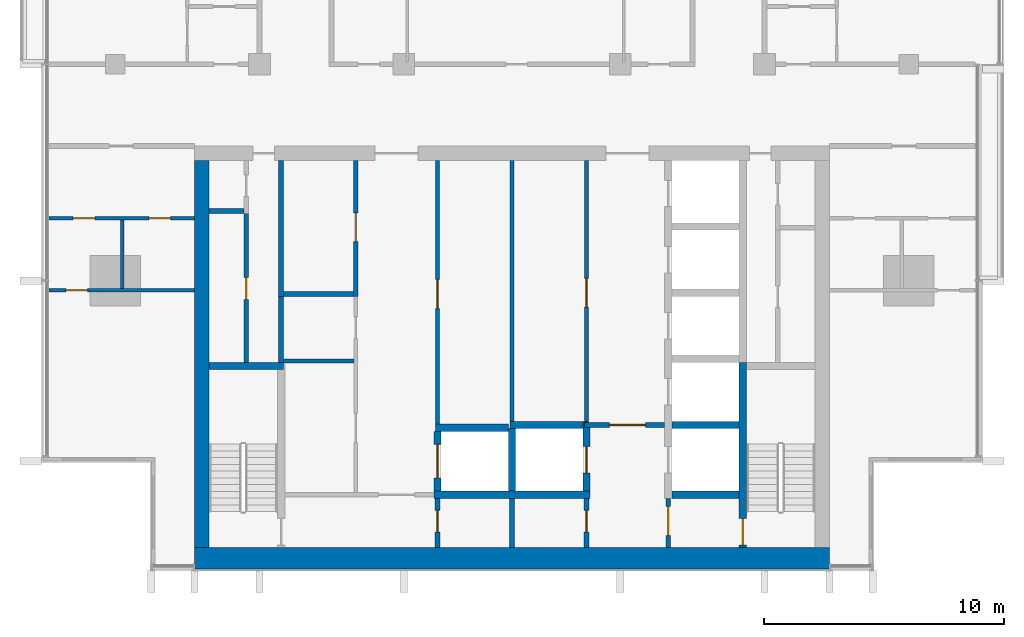
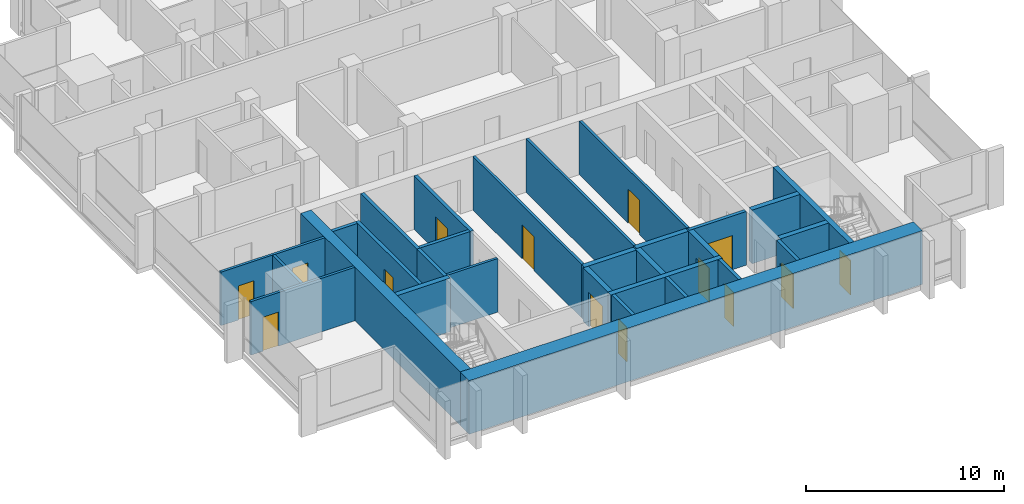
# One storey, part 7 of 16: 30 walls, 14 doors, 14 openings.
"""IFC4 building model written with IfcOpenShell, lengths in metres."""

from ifc_helpers import new_model, si_unit, direction, frame, frame_2d, origin, place, context, subcontext, project, spatial, rectangle, extrude, material, layer, layer_set, type_object, element, fill, save


model = new_model("IFC4")

# Units and contexts
model_context = context("Model", 3, precision=1e-05, world=origin(), true_north=direction((0.0, 1.0)))
body_context = subcontext(model_context, "Body", "Model", "MODEL_VIEW")
ifc_project = project(units=[si_unit("LENGTHUNIT", "METRE"), si_unit("AREAUNIT", "SQUARE_METRE"), si_unit("VOLUMEUNIT", "CUBIC_METRE"), si_unit("PLANEANGLEUNIT", "RADIAN"), si_unit("MASSUNIT", "GRAM", prefix="KILO")], contexts=[model_context])

# Site, building, storey
site_placement = place(None, origin())
site = spatial("IfcSite", under=ifc_project, at=site_placement, CompositionType="ELEMENT")
building_placement = place(site_placement, origin())
building = spatial("IfcBuilding", under=site, at=building_placement, Name="Finial Court Residences", CompositionType="ELEMENT")
storey_placement = place(building_placement, frame((0.0, 0.0, 219.5)))
storey = spatial("IfcBuildingStorey", under=building, at=storey_placement, Name="L55", CompositionType="ELEMENT", Elevation=219.5)

# Walls
ifc_material_1 = material(Name="Concrete C60/75", Category="concrete")
ifc_layer_1 = layer(ifc_material_1, 0.60009765625)
ifc_layer_set_1 = layer_set([ifc_layer_1], Name="Core outer wall 600 Concrete C60/75")
wall_type_1 = type_object("IfcWallType", Name="Core outer wall 600 Concrete C60/75", PredefinedType="SHEAR", material=ifc_layer_set_1)
wall_1_placement = place(storey_placement, frame((-12.89990234375, -24.60009765625, 0.0), z_axis=(0.0, 0.0, 1.0), x_axis=(0.0, 1.0, 0.0)))
element("IfcWall", 1, at=wall_1_placement, inside=storey, type_object=wall_type_1, Name="Core outer wall L55-03", PredefinedType="SHEAR", context=body_context, shape_type="SweptSolid", body=[
    extrude(rectangle(XDim=16.10009765625, YDim=0.60009765625, at=frame_2d((8.050048828125, 0.0))), origin(), (0.0, 0.0, 1.0), 3.300048828125),
])
ifc_material_2 = material(Name="Fire-rated gypsum board partition")
ifc_layer_2 = layer(ifc_material_2, 0.14990234375)
ifc_layer_set_2 = layer_set([ifc_layer_2], Name="Core room partition 150 EI 60")
wall_type_2 = type_object("IfcWallType", Name="Core room partition 150 EI 60", PredefinedType="PARTITIONING", material=ifc_layer_set_2)
wall_2_placement = place(storey_placement, frame((-9.5, -16.840087890625, 0.0), z_axis=(0.0, 0.0, 1.0), x_axis=(1.0, 0.0, 0.0)))
element("IfcWall", 2, at=wall_2_placement, inside=storey, type_object=wall_type_2, Name="Core partition L55-10", PredefinedType="PARTITIONING", context=body_context, shape_type="SweptSolid", body=[
    extrude(rectangle(XDim=2.925048828125, YDim=0.14990234375, at=frame_2d((1.46240234375, 0.0))), origin(), (0.0, 0.0, 1.0), 3.300048828125),
])

# Wall, opening, door
wall_3_placement = place(storey_placement, frame((-3.10009765625, -8.5, 0.0), z_axis=(0.0, 0.0, 1.0), x_axis=(0.0, -1.0, 0.0)))
wall_3 = element("IfcWall", 3, at=wall_3_placement, inside=storey, type_object=wall_type_2, Name="Core partition L55-26", PredefinedType="PARTITIONING", context=body_context, shape_type="SweptSolid", body=[
    extrude(rectangle(XDim=10.969970703125, YDim=0.14990234375, at=frame_2d((5.48486328125, 0.0))), origin(), (0.0, 0.0, 1.0), 3.300048828125),
])
opening_1_placement = place(wall_3_placement, frame((4.9599609375, 0.0, 0.0)))
opening_1 = element("IfcOpeningElement", 4, at=opening_1_placement, cuts=wall_3, Name="Opening L55-C17", PredefinedType="OPENING", context=body_context, shape_type="SweptSolid", body=[
    extrude(rectangle(XDim=1.199951171875, YDim=2.10009765625, at=frame_2d((0.60009765625, 1.050048828125))), frame((0.0, 0.0849609375, 0.0), z_axis=(0.0, -1.0, 0.0), x_axis=(1.0, 0.0, 0.0)), (0.0, 0.0, 1.0), 0.169921875),
])
ifc_material_3 = material(Name="Steel fire door", Category="steel")
door_type_1 = type_object("IfcDoorType", Name="Core room door 1200 x 2100 EI 60", OperationType="NOTDEFINED", PredefinedType="DOOR", material=ifc_material_3)
door_1_placement = place(opening_1_placement, origin())
door_1 = element("IfcDoor", 5, at=door_1_placement, inside=storey, type_object=door_type_1, Name="Core room door L55-C17", OperationType="SINGLE_SWING_RIGHT", OverallHeight=2.10009765625, OverallWidth=1.199951171875, PredefinedType="DOOR", context=body_context, shape_type="SweptSolid", body=[
    extrude(rectangle(XDim=1.199951171875, YDim=2.10009765625, at=frame_2d((0.60009765625, 1.050048828125))), frame((0.0, 0.02490234375, 0.0), z_axis=(0.0, -1.0, 0.0), x_axis=(1.0, 0.0, 0.0)), (0.0, 0.0, 1.0), 0.050048828125),
])
fill(opening_1, door_1)

# Wall
wall_4_placement = place(storey_placement, frame((0.0, -19.35009765625, 0.0), z_axis=(0.0, 0.0, 1.0), x_axis=(0.0, 1.0, 0.0)))
element("IfcWall", 6, at=wall_4_placement, inside=storey, type_object=wall_type_2, Name="Core partition L55-29", PredefinedType="PARTITIONING", context=body_context, shape_type="SweptSolid", body=[
    extrude(rectangle(XDim=10.85009765625, YDim=0.14990234375, at=frame_2d((5.425048828125, 0.0))), origin(), (0.0, 0.0, 1.0), 3.300048828125),
])

# Wall, opening, door
wall_5_placement = place(storey_placement, frame((3.10009765625, -19.39990234375, 0.0), z_axis=(0.0, 0.0, 1.0), x_axis=(0.0, 1.0, 0.0)))
wall_5 = element("IfcWall", 7, at=wall_5_placement, inside=storey, type_object=wall_type_2, Name="Core partition L55-32", PredefinedType="PARTITIONING", context=body_context, shape_type="SweptSolid", body=[
    extrude(rectangle(XDim=10.89990234375, YDim=0.14990234375, at=frame_2d((5.449951171875, 0.0))), origin(), (0.0, 0.0, 1.0), 3.300048828125),
])
opening_2_placement = place(wall_5_placement, frame((4.800048828125, 0.0, 0.0)))
opening_2 = element("IfcOpeningElement", 8, at=opening_2_placement, cuts=wall_5, Name="Opening L55-C18", PredefinedType="OPENING", context=body_context, shape_type="SweptSolid", body=[
    extrude(rectangle(XDim=1.199951171875, YDim=2.10009765625, at=frame_2d((0.60009765625, 1.050048828125))), frame((0.0, 0.0849609375, 0.0), z_axis=(0.0, -1.0, 0.0), x_axis=(1.0, 0.0, 0.0)), (0.0, 0.0, 1.0), 0.169921875),
])
door_2_placement = place(opening_2_placement, origin())
door_2 = element("IfcDoor", 9, at=door_2_placement, inside=storey, type_object=door_type_1, Name="Core room door L55-C18", OperationType="SINGLE_SWING_LEFT", OverallHeight=2.10009765625, OverallWidth=1.199951171875, PredefinedType="DOOR", context=body_context, shape_type="SweptSolid", body=[
    extrude(rectangle(XDim=1.199951171875, YDim=2.10009765625, at=frame_2d((0.60009765625, 1.050048828125))), frame((0.0, 0.02490234375, 0.0), z_axis=(0.0, -1.0, 0.0), x_axis=(1.0, 0.0, 0.0)), (0.0, 0.0, 1.0), 0.050048828125),
])
fill(opening_2, door_2)

# Wall
ifc_layer_3 = layer(ifc_material_1, 0.89990234375)
ifc_layer_set_3 = layer_set([ifc_layer_3], Name="Core south facade wall 900 Concrete C60/75")
wall_type_3 = type_object("IfcWallType", Name="Core south facade wall 900 Concrete C60/75", PredefinedType="SHEAR", material=ifc_layer_set_3)
wall_6_placement = place(storey_placement, frame((-13.199951171875, -25.050048828125, 0.0), z_axis=(0.0, 0.0, 1.0), x_axis=(1.0, 0.0, 0.0)))
element("IfcWall", 10, at=wall_6_placement, inside=storey, type_object=wall_type_3, Name="Core outer wall L55-01", PredefinedType="SHEAR", context=body_context, shape_type="SweptSolid", body=[
    extrude(rectangle(XDim=26.39990234375, YDim=0.89990234375, at=frame_2d((13.199951171875, 0.0))), origin(), (0.0, 0.0, 1.0), 3.300048828125),
])

# Wall, opening, door
ifc_layer_4 = layer(ifc_material_2, 0.199951171875)
ifc_layer_set_4 = layer_set([ifc_layer_4], Name="Firefighting lobby wall 200 EI 120")
wall_type_4 = type_object("IfcWallType", Name="Firefighting lobby wall 200 EI 120", PredefinedType="PARTITIONING", material=ifc_layer_set_4)
wall_7_placement = place(storey_placement, frame((6.35009765625, -19.5, 0.0), z_axis=(0.0, 0.0, 1.0), x_axis=(-1.0, 0.0, 0.0)))
wall_7 = element("IfcWall", 11, at=wall_7_placement, inside=storey, type_object=wall_type_4, Name="Core partition L55-06", PredefinedType="PARTITIONING", context=body_context, shape_type="SweptSolid", body=[
    extrude(rectangle(XDim=3.3251953125, YDim=0.199951171875, at=frame_2d((1.66259765625, 0.0))), origin(), (0.0, 0.0, 1.0), 3.300048828125),
])
opening_3_placement = place(wall_7_placement, frame((0.800048828125, 0.0, 0.0)))
opening_3 = element("IfcOpeningElement", 12, at=opening_3_placement, cuts=wall_7, Name="Opening L55-C02", PredefinedType="OPENING", context=body_context, shape_type="SweptSolid", body=[
    extrude(rectangle(XDim=1.5, YDim=2.10009765625, at=frame_2d((0.75, 1.050048828125))), frame((0.0, 0.10986328125, 0.0), z_axis=(0.0, -1.0, 0.0), x_axis=(1.0, 0.0, 0.0)), (0.0, 0.0, 1.0), 0.219970703125),
])
door_type_2 = type_object("IfcDoorType", Name="Firefighting lobby door 1500 x 2100 EI 90", OperationType="DOUBLE_DOOR_SINGLE_SWING", PredefinedType="DOOR", material=ifc_material_3)
door_3_placement = place(opening_3_placement, origin())
door_3 = element("IfcDoor", 13, at=door_3_placement, inside=storey, type_object=door_type_2, Name="Firefighting lobby door L55-C02", OperationType="DOUBLE_DOOR_SINGLE_SWING", OverallHeight=2.10009765625, OverallWidth=1.5, PredefinedType="DOOR", context=body_context, shape_type="SweptSolid", body=[
    extrude(rectangle(XDim=1.5, YDim=2.10009765625, at=frame_2d((0.75, 1.050048828125))), frame((0.0, 0.02490234375, 0.0), z_axis=(0.0, -1.0, 0.0), x_axis=(1.0, 0.0, 0.0)), (0.0, 0.0, 1.0), 0.050048828125),
])
fill(opening_3, door_3)

wall_8_placement = place(storey_placement, frame((3.10009765625, -24.60009765625, 0.0), z_axis=(0.0, 0.0, 1.0), x_axis=(0.0, 1.0, 0.0)))
wall_8 = element("IfcWall", 14, at=wall_8_placement, inside=storey, type_object=wall_type_4, Name="Core partition L55-30", PredefinedType="PARTITIONING", context=body_context, shape_type="SweptSolid", body=[
    extrude(rectangle(XDim=2.050048828125, YDim=0.199951171875, at=frame_2d((1.02490234375, 0.0))), origin(), (0.0, 0.0, 1.0), 3.300048828125),
])
opening_4_placement = place(wall_8_placement, frame((0.64990234375, 0.0, 0.0)))
opening_4 = element("IfcOpeningElement", 15, at=opening_4_placement, cuts=wall_8, Name="Opening L55-C06", PredefinedType="OPENING", context=body_context, shape_type="SweptSolid", body=[
    extrude(rectangle(XDim=0.89990234375, YDim=2.10009765625, at=frame_2d((0.449951171875, 1.050048828125))), frame((0.0, 0.10986328125, 0.0), z_axis=(0.0, -1.0, 0.0), x_axis=(1.0, 0.0, 0.0)), (0.0, 0.0, 1.0), 0.219970703125),
])
door_type_3 = type_object("IfcDoorType", Name="Riser room door 900 x 2100 EI 90", OperationType="NOTDEFINED", PredefinedType="DOOR", material=ifc_material_3)
door_4_placement = place(opening_4_placement, origin())
door_4 = element("IfcDoor", 16, at=door_4_placement, inside=storey, type_object=door_type_3, Name="Riser room door L55-C06", OperationType="SINGLE_SWING_LEFT", OverallHeight=2.10009765625, OverallWidth=0.89990234375, PredefinedType="DOOR", context=body_context, shape_type="SweptSolid", body=[
    extrude(rectangle(XDim=0.89990234375, YDim=2.10009765625, at=frame_2d((0.449951171875, 1.050048828125))), frame((0.0, 0.02490234375, 0.0), z_axis=(0.0, -1.0, 0.0), x_axis=(1.0, 0.0, 0.0)), (0.0, 0.0, 1.0), 0.050048828125),
])
fill(opening_4, door_4)

wall_9_placement = place(storey_placement, frame((6.5, -22.550048828125, 0.0), z_axis=(0.0, 0.0, 1.0), x_axis=(0.0, -1.0, 0.0)))
wall_9 = element("IfcWall", 17, at=wall_9_placement, inside=storey, type_object=wall_type_4, Name="Core partition L55-33", PredefinedType="PARTITIONING", context=body_context, shape_type="SweptSolid", body=[
    extrude(rectangle(XDim=2.050048828125, YDim=0.199951171875, at=frame_2d((1.02490234375, 0.0))), origin(), (0.0, 0.0, 1.0), 3.300048828125),
])
opening_5_placement = place(wall_9_placement, frame((0.35009765625, 0.0, 0.0)))
opening_5 = element("IfcOpeningElement", 18, at=opening_5_placement, cuts=wall_9, Name="Opening L55-C01", PredefinedType="OPENING", context=body_context, shape_type="SweptSolid", body=[
    extrude(rectangle(XDim=1.199951171875, YDim=2.10009765625, at=frame_2d((0.60009765625, 1.050048828125))), frame((0.0, 0.10986328125, 0.0), z_axis=(0.0, -1.0, 0.0), x_axis=(1.0, 0.0, 0.0)), (0.0, 0.0, 1.0), 0.219970703125),
])
door_type_4 = type_object("IfcDoorType", Name="Firefighting lobby door 1200 x 2100 EI 90", OperationType="NOTDEFINED", PredefinedType="DOOR", material=ifc_material_3)
door_5_placement = place(opening_5_placement, origin())
door_5 = element("IfcDoor", 19, at=door_5_placement, inside=storey, type_object=door_type_4, Name="Firefighting lobby door L55-C01", OperationType="SINGLE_SWING_RIGHT", OverallHeight=2.10009765625, OverallWidth=1.199951171875, PredefinedType="DOOR", context=body_context, shape_type="SweptSolid", body=[
    extrude(rectangle(XDim=1.199951171875, YDim=2.10009765625, at=frame_2d((0.60009765625, 1.050048828125))), frame((0.0, 0.02490234375, 0.0), z_axis=(0.0, -1.0, 0.0), x_axis=(1.0, 0.0, 0.0)), (0.0, 0.0, 1.0), 0.050048828125),
])
fill(opening_5, door_5)

ifc_material_4 = material(Name="Moisture-resistant gypsum board")
ifc_layer_5 = layer(ifc_material_4, 0.012451171875)
ifc_material_5 = material(Name="Mineral wool in light-gauge frame")
ifc_layer_6 = layer(ifc_material_5, 0.125)
ifc_layer_7 = layer(ifc_material_4, 0.012451171875)
ifc_layer_set_5 = layer_set([ifc_layer_5, ifc_layer_6, ifc_layer_7], Name="Gypsum board wet-area partition 150")
wall_type_5 = type_object("IfcWallType", Name="Gypsum board wet-area partition 150", PredefinedType="PARTITIONING", material=ifc_layer_set_5)
wall_10_placement = place(storey_placement, frame((-19.262451171875, -13.89990234375, 0.0), z_axis=(0.0, 0.0, 1.0), x_axis=(1.0, 0.0, 0.0)))
wall_10 = element("IfcWall", 20, at=wall_10_placement, inside=storey, type_object=wall_type_5, Name="Partition L55-000", PredefinedType="PARTITIONING", context=body_context, shape_type="SweptSolid", body=[
    extrude(rectangle(XDim=6.0625, YDim=0.14990234375, at=frame_2d((3.03125, 0.0))), origin(), (0.0, 0.0, 1.0), 3.300048828125),
])
opening_6_placement = place(wall_10_placement, frame((0.7119140625, 0.0, 0.0)))
opening_6 = element("IfcOpeningElement", 21, at=opening_6_placement, cuts=wall_10, Name="Opening L55-D001", PredefinedType="OPENING", context=body_context, shape_type="SweptSolid", body=[
    extrude(rectangle(XDim=0.89990234375, YDim=2.10009765625, at=frame_2d((0.449951171875, 1.050048828125))), frame((0.0, 0.0849609375, 0.0), z_axis=(0.0, -1.0, 0.0), x_axis=(1.0, 0.0, 0.0)), (0.0, 0.0, 1.0), 0.169921875),
])
ifc_material_6 = material(Name="Timber door leaf in timber frame", Category="wood")
door_type_5 = type_object("IfcDoorType", Name="Door set 900 x 2100", OperationType="SINGLE_SWING_LEFT", PredefinedType="DOOR", material=ifc_material_6)
door_6_placement = place(opening_6_placement, origin())
door_6 = element("IfcDoor", 22, at=door_6_placement, inside=storey, type_object=door_type_5, Name="Door L55-D001", OperationType="SINGLE_SWING_LEFT", OverallHeight=2.10009765625, OverallWidth=0.89990234375, PredefinedType="DOOR", context=body_context, shape_type="SweptSolid", body=[
    extrude(rectangle(XDim=0.89990234375, YDim=2.10009765625, at=frame_2d((0.449951171875, 1.050048828125))), frame((0.0, 0.02490234375, 0.0), z_axis=(0.0, -1.0, 0.0), x_axis=(1.0, 0.0, 0.0)), (0.0, 0.0, 1.0), 0.050048828125),
])
fill(opening_6, door_6)

# Wall, openings, doors
wall_11_placement = place(storey_placement, frame((-19.262451171875, -10.89990234375, 0.0), z_axis=(0.0, 0.0, 1.0), x_axis=(1.0, 0.0, 0.0)))
wall_11 = element("IfcWall", 23, at=wall_11_placement, inside=storey, type_object=wall_type_5, Name="Partition L55-002", PredefinedType="PARTITIONING", context=body_context, shape_type="SweptSolid", body=[
    extrude(rectangle(XDim=6.0625, YDim=0.14990234375, at=frame_2d((3.03125, 0.0))), origin(), (0.0, 0.0, 1.0), 3.300048828125),
])
opening_7_placement = place(wall_11_placement, frame((1.011962890625, 0.0, 0.0)))
opening_7 = element("IfcOpeningElement", 24, at=opening_7_placement, cuts=wall_11, Name="Opening L55-D003", PredefinedType="OPENING", context=body_context, shape_type="SweptSolid", body=[
    extrude(rectangle(XDim=0.89990234375, YDim=2.10009765625, at=frame_2d((0.449951171875, 1.050048828125))), frame((0.0, 0.0849609375, 0.0), z_axis=(0.0, -1.0, 0.0), x_axis=(1.0, 0.0, 0.0)), (0.0, 0.0, 1.0), 0.169921875),
])
opening_8_placement = place(wall_11_placement, frame((4.162109375, 0.0, 0.0)))
opening_8 = element("IfcOpeningElement", 25, at=opening_8_placement, cuts=wall_11, Name="Opening L55-D004", PredefinedType="OPENING", context=body_context, shape_type="SweptSolid", body=[
    extrude(rectangle(XDim=0.89990234375, YDim=2.10009765625, at=frame_2d((0.449951171875, 1.050048828125))), frame((0.0, 0.0849609375, 0.0), z_axis=(0.0, -1.0, 0.0), x_axis=(1.0, 0.0, 0.0)), (0.0, 0.0, 1.0), 0.169921875),
])
door_7_placement = place(opening_7_placement, origin())
door_7 = element("IfcDoor", 26, at=door_7_placement, inside=storey, type_object=door_type_5, Name="Door L55-D003", OperationType="SINGLE_SWING_LEFT", OverallHeight=2.10009765625, OverallWidth=0.89990234375, PredefinedType="DOOR", context=body_context, shape_type="SweptSolid", body=[
    extrude(rectangle(XDim=0.89990234375, YDim=2.10009765625, at=frame_2d((0.449951171875, 1.050048828125))), frame((0.0, 0.02490234375, 0.0), z_axis=(0.0, -1.0, 0.0), x_axis=(1.0, 0.0, 0.0)), (0.0, 0.0, 1.0), 0.050048828125),
])
fill(opening_7, door_7)
door_8_placement = place(opening_8_placement, origin())
door_8 = element("IfcDoor", 27, at=door_8_placement, inside=storey, type_object=door_type_5, Name="Door L55-D004", OperationType="SINGLE_SWING_RIGHT", OverallHeight=2.10009765625, OverallWidth=0.89990234375, PredefinedType="DOOR", context=body_context, shape_type="SweptSolid", body=[
    extrude(rectangle(XDim=0.89990234375, YDim=2.10009765625, at=frame_2d((0.449951171875, 1.050048828125))), frame((0.0, 0.02490234375, 0.0), z_axis=(0.0, -1.0, 0.0), x_axis=(1.0, 0.0, 0.0)), (0.0, 0.0, 1.0), 0.050048828125),
])
fill(opening_8, door_8)

# Walls
wall_12_placement = place(storey_placement, frame((-16.199951171875, -13.824951171875, 0.0), z_axis=(0.0, 0.0, 1.0), x_axis=(0.0, 1.0, 0.0)))
element("IfcWall", 28, at=wall_12_placement, inside=storey, type_object=wall_type_5, Name="Partition L55-033", PredefinedType="PARTITIONING", context=body_context, shape_type="SweptSolid", body=[
    extrude(rectangle(XDim=2.849853515625, YDim=0.14990234375, at=frame_2d((1.4248046875, 0.0))), origin(), (0.0, 0.0, 1.0), 3.300048828125),
])
ifc_layer_8 = layer(ifc_material_1, 0.300048828125)
ifc_layer_set_6 = layer_set([ifc_layer_8], Name="Lift shaft and stair wall 300 Concrete C60/75")
wall_type_6 = type_object("IfcWallType", Name="Lift shaft and stair wall 300 Concrete C60/75", PredefinedType="SHEAR", material=ifc_layer_set_6)
wall_13_placement = place(storey_placement, frame((-3.25, -22.39990234375, 0.0), z_axis=(0.0, 0.0, 1.0), x_axis=(1.0, 0.0, 0.0)))
element("IfcWall", 29, at=wall_13_placement, inside=storey, type_object=wall_type_6, Name="Core wall L55-02", PredefinedType="SHEAR", context=body_context, shape_type="SweptSolid", body=[
    extrude(rectangle(XDim=6.5, YDim=0.300048828125, at=frame_2d((3.25, 0.0))), origin(), (0.0, 0.0, 1.0), 3.300048828125),
])
wall_14_placement = place(storey_placement, frame((6.64990234375, -22.39990234375, 0.0), z_axis=(0.0, 0.0, 1.0), x_axis=(1.0, 0.0, 0.0)))
element("IfcWall", 30, at=wall_14_placement, inside=storey, type_object=wall_type_6, Name="Core wall L55-03", PredefinedType="SHEAR", context=body_context, shape_type="SweptSolid", body=[
    extrude(rectangle(XDim=2.800048828125, YDim=0.300048828125, at=frame_2d((1.39990234375, 0.0))), origin(), (0.0, 0.0, 1.0), 3.300048828125),
])
wall_15_placement = place(storey_placement, frame((-3.175048828125, -19.6201171875, 0.0), z_axis=(0.0, 0.0, 1.0), x_axis=(1.0, 0.0, 0.0)))
element("IfcWall", 31, at=wall_15_placement, inside=storey, type_object=wall_type_6, Name="Core wall L55-04", PredefinedType="SHEAR", context=body_context, shape_type="SweptSolid", body=[
    extrude(rectangle(XDim=3.025146484375, YDim=0.300048828125, at=frame_2d((1.5126953125, 0.0))), origin(), (0.0, 0.0, 1.0), 3.300048828125),
])
wall_16_placement = place(storey_placement, frame((-0.074951171875, -19.5, 0.0), z_axis=(0.0, 0.0, 1.0), x_axis=(1.0, 0.0, 0.0)))
element("IfcWall", 32, at=wall_16_placement, inside=storey, type_object=wall_type_6, Name="Core wall L55-05", PredefinedType="SHEAR", context=body_context, shape_type="SweptSolid", body=[
    extrude(rectangle(XDim=3.25, YDim=0.300048828125, at=frame_2d((1.625, 0.0))), origin(), (0.0, 0.0, 1.0), 3.300048828125),
])
wall_17_placement = place(storey_placement, frame((6.64990234375, -19.5, 0.0), z_axis=(0.0, 0.0, 1.0), x_axis=(1.0, 0.0, 0.0)))
element("IfcWall", 33, at=wall_17_placement, inside=storey, type_object=wall_type_6, Name="Core wall L55-07", PredefinedType="SHEAR", context=body_context, shape_type="SweptSolid", body=[
    extrude(rectangle(XDim=2.800048828125, YDim=0.300048828125, at=frame_2d((1.39990234375, 0.0))), origin(), (0.0, 0.0, 1.0), 3.300048828125),
])
wall_18_placement = place(storey_placement, frame((-12.60009765625, -17.050048828125, 0.0), z_axis=(0.0, 0.0, 1.0), x_axis=(1.0, 0.0, 0.0)))
element("IfcWall", 34, at=wall_18_placement, inside=storey, type_object=wall_type_6, Name="Core wall L55-08", PredefinedType="SHEAR", context=body_context, shape_type="SweptSolid", body=[
    extrude(rectangle(XDim=3.10009765625, YDim=0.300048828125, at=frame_2d((1.550048828125, 0.0))), origin(), (0.0, 0.0, 1.0), 3.300048828125),
])

# Wall, opening, door
wall_19_placement = place(storey_placement, frame((-3.10009765625, -22.25, 0.0), z_axis=(0.0, 0.0, 1.0), x_axis=(0.0, 1.0, 0.0)))
wall_19 = element("IfcWall", 35, at=wall_19_placement, inside=storey, type_object=wall_type_6, Name="Core wall L55-25", PredefinedType="SHEAR", context=body_context, shape_type="SweptSolid", body=[
    extrude(rectangle(XDim=2.47998046875, YDim=0.300048828125, at=frame_2d((1.239990234375, 0.0))), origin(), (0.0, 0.0, 1.0), 3.300048828125),
])
opening_9_placement = place(wall_19_placement, frame((0.5400390625, 0.0, 0.0)))
opening_9 = element("IfcOpeningElement", 36, at=opening_9_placement, cuts=wall_19, Name="Opening L55-LD07", PredefinedType="OPENING", context=body_context, shape_type="SweptSolid", body=[
    extrude(rectangle(XDim=1.39990234375, YDim=2.10009765625, at=frame_2d((0.699951171875, 1.050048828125))), frame((0.0, 0.159912109375, 0.0), z_axis=(0.0, -1.0, 0.0), x_axis=(1.0, 0.0, 0.0)), (0.0, 0.0, 1.0), 0.320068359375),
])
ifc_material_7 = material(Name="Stainless steel lift door", Category="steel")
door_type_6 = type_object("IfcDoorType", Name="Lift landing door 1400 x 2100 EI 90", OperationType="DOUBLE_DOOR_SLIDING", PredefinedType="DOOR", material=ifc_material_7)
door_9_placement = place(opening_9_placement, origin())
door_9 = element("IfcDoor", 37, at=door_9_placement, inside=storey, type_object=door_type_6, Name="Lift landing door SV1 L55", OperationType="DOUBLE_DOOR_SLIDING", OverallHeight=2.10009765625, OverallWidth=1.39990234375, PredefinedType="DOOR", context=body_context, shape_type="SweptSolid", body=[
    extrude(rectangle(XDim=1.39990234375, YDim=2.10009765625, at=frame_2d((0.699951171875, 1.050048828125))), frame((0.0, 0.02490234375, 0.0), z_axis=(0.0, -1.0, 0.0), x_axis=(1.0, 0.0, 0.0)), (0.0, 0.0, 1.0), 0.050048828125),
])
fill(opening_9, door_9)

# Wall
wall_20_placement = place(storey_placement, frame((0.0, -22.25, 0.0), z_axis=(0.0, 0.0, 1.0), x_axis=(0.0, 1.0, 0.0)))
element("IfcWall", 38, at=wall_20_placement, inside=storey, type_object=wall_type_6, Name="Core wall L55-28", PredefinedType="SHEAR", context=body_context, shape_type="SweptSolid", body=[
    extrude(rectangle(XDim=2.60009765625, YDim=0.300048828125, at=frame_2d((1.300048828125, 0.0))), origin(), (0.0, 0.0, 1.0), 3.300048828125),
])

# Wall, opening, door
wall_21_placement = place(storey_placement, frame((3.10009765625, -22.25, 0.0), z_axis=(0.0, 0.0, 1.0), x_axis=(0.0, 1.0, 0.0)))
wall_21 = element("IfcWall", 39, at=wall_21_placement, inside=storey, type_object=wall_type_6, Name="Core wall L55-31", PredefinedType="SHEAR", context=body_context, shape_type="SweptSolid", body=[
    extrude(rectangle(XDim=2.85009765625, YDim=0.300048828125, at=frame_2d((1.425048828125, 0.0))), origin(), (0.0, 0.0, 1.0), 3.300048828125),
])
opening_10_placement = place(wall_21_placement, frame((0.75, 0.0, 0.0)))
opening_10 = element("IfcOpeningElement", 40, at=opening_10_placement, cuts=wall_21, Name="Opening L55-LD01", PredefinedType="OPENING", context=body_context, shape_type="SweptSolid", body=[
    extrude(rectangle(XDim=1.10009765625, YDim=2.10009765625, at=frame_2d((0.550048828125, 1.050048828125))), frame((0.0, 0.159912109375, 0.0), z_axis=(0.0, -1.0, 0.0), x_axis=(1.0, 0.0, 0.0)), (0.0, 0.0, 1.0), 0.320068359375),
])
door_type_7 = type_object("IfcDoorType", Name="Lift landing door 1100 x 2100 EI 90", OperationType="DOUBLE_DOOR_SLIDING", PredefinedType="DOOR", material=ifc_material_7)
door_10_placement = place(opening_10_placement, origin())
door_10 = element("IfcDoor", 41, at=door_10_placement, inside=storey, type_object=door_type_7, Name="Lift landing door FF1 L55", OperationType="DOUBLE_DOOR_SLIDING", OverallHeight=2.10009765625, OverallWidth=1.10009765625, PredefinedType="DOOR", context=body_context, shape_type="SweptSolid", body=[
    extrude(rectangle(XDim=1.10009765625, YDim=2.10009765625, at=frame_2d((0.550048828125, 1.050048828125))), frame((0.0, 0.02490234375, 0.0), z_axis=(0.0, -1.0, 0.0), x_axis=(1.0, 0.0, 0.0)), (0.0, 0.0, 1.0), 0.050048828125),
])
fill(opening_10, door_10)

wall_22_placement = place(storey_placement, frame((9.60009765625, -16.89990234375, 0.0), z_axis=(0.0, 0.0, 1.0), x_axis=(0.0, -1.0, 0.0)))
wall_22 = element("IfcWall", 42, at=wall_22_placement, inside=storey, type_object=wall_type_6, Name="Core wall L55-35", PredefinedType="SHEAR", context=body_context, shape_type="SweptSolid", body=[
    extrude(rectangle(XDim=7.7001953125, YDim=0.300048828125, at=frame_2d((3.85009765625, 0.0))), origin(), (0.0, 0.0, 1.0), 3.300048828125),
])
opening_11_placement = place(wall_22_placement, frame((6.5, 0.0, 0.0)))
opening_11 = element("IfcOpeningElement", 43, at=opening_11_placement, cuts=wall_22, Name="Opening L55-C20", PredefinedType="OPENING", context=body_context, shape_type="SweptSolid", body=[
    extrude(rectangle(XDim=1.10009765625, YDim=2.10009765625, at=frame_2d((0.550048828125, 1.050048828125))), frame((0.0, 0.159912109375, 0.0), z_axis=(0.0, -1.0, 0.0), x_axis=(1.0, 0.0, 0.0)), (0.0, 0.0, 1.0), 0.320068359375),
])
door_type_8 = type_object("IfcDoorType", Name="Stair door 1100 x 2100 EI 90", OperationType="NOTDEFINED", PredefinedType="DOOR", material=ifc_material_3)
door_11_placement = place(opening_11_placement, origin())
door_11 = element("IfcDoor", 44, at=door_11_placement, inside=storey, type_object=door_type_8, Name="Stair door L55-C20", OperationType="SINGLE_SWING_RIGHT", OverallHeight=2.10009765625, OverallWidth=1.10009765625, PredefinedType="DOOR", context=body_context, shape_type="SweptSolid", body=[
    extrude(rectangle(XDim=1.10009765625, YDim=2.10009765625, at=frame_2d((0.550048828125, 1.050048828125))), frame((0.0, 0.02490234375, 0.0), z_axis=(0.0, -1.0, 0.0), x_axis=(1.0, 0.0, 0.0)), (0.0, 0.0, 1.0), 0.050048828125),
])
fill(opening_11, door_11)

# Walls
ifc_layer_9 = layer(ifc_material_2, 0.199951171875)
ifc_layer_set_7 = layer_set([ifc_layer_9], Name="Riser room wall 200 EI 120")
wall_type_7 = type_object("IfcWallType", Name="Riser room wall 200 EI 120", PredefinedType="PARTITIONING", material=ifc_layer_set_7)
wall_23_placement = place(storey_placement, frame((-9.5, -14.06005859375, 0.0), z_axis=(0.0, 0.0, 1.0), x_axis=(1.0, 0.0, 0.0)))
element("IfcWall", 45, at=wall_23_placement, inside=storey, type_object=wall_type_7, Name="Core partition L55-12", PredefinedType="PARTITIONING", context=body_context, shape_type="SweptSolid", body=[
    extrude(rectangle(XDim=2.89990234375, YDim=0.199951171875, at=frame_2d((1.449951171875, 0.0))), origin(), (0.0, 0.0, 1.0), 3.300048828125),
])
wall_24_placement = place(storey_placement, frame((-12.60009765625, -10.60009765625, 0.0), z_axis=(0.0, 0.0, 1.0), x_axis=(1.0, 0.0, 0.0)))
element("IfcWall", 46, at=wall_24_placement, inside=storey, type_object=wall_type_7, Name="Core partition L55-16", PredefinedType="PARTITIONING", context=body_context, shape_type="SweptSolid", body=[
    extrude(rectangle(XDim=1.4501953125, YDim=0.199951171875, at=frame_2d((0.72509765625, 0.0))), origin(), (0.0, 0.0, 1.0), 3.300048828125),
])
wall_25_placement = place(storey_placement, frame((-9.60009765625, -14.159912109375, 0.0), z_axis=(0.0, 0.0, 1.0), x_axis=(0.0, 1.0, 0.0)))
element("IfcWall", 47, at=wall_25_placement, inside=storey, type_object=wall_type_7, Name="Core partition L55-21", PredefinedType="PARTITIONING", context=body_context, shape_type="SweptSolid", body=[
    extrude(rectangle(XDim=5.659912109375, YDim=0.199951171875, at=frame_2d((2.830078125, 0.0))), origin(), (0.0, 0.0, 1.0), 3.300048828125),
])

# Wall, opening, door
wall_26_placement = place(storey_placement, frame((-6.5, -14.159912109375, 0.0), z_axis=(0.0, 0.0, 1.0), x_axis=(0.0, 1.0, 0.0)))
wall_26 = element("IfcWall", 48, at=wall_26_placement, inside=storey, type_object=wall_type_7, Name="Core partition L55-23", PredefinedType="PARTITIONING", context=body_context, shape_type="SweptSolid", body=[
    extrude(rectangle(XDim=5.659912109375, YDim=0.199951171875, at=frame_2d((2.830078125, 0.0))), origin(), (0.0, 0.0, 1.0), 3.300048828125),
])
opening_12_placement = place(wall_26_placement, frame((2.280029296875, 0.0, 0.0)))
opening_12 = element("IfcOpeningElement", 49, at=opening_12_placement, cuts=wall_26, Name="Opening L55-C09", PredefinedType="OPENING", context=body_context, shape_type="SweptSolid", body=[
    extrude(rectangle(XDim=1.199951171875, YDim=2.10009765625, at=frame_2d((0.60009765625, 1.050048828125))), frame((0.0, 0.10986328125, 0.0), z_axis=(0.0, -1.0, 0.0), x_axis=(1.0, 0.0, 0.0)), (0.0, 0.0, 1.0), 0.219970703125),
])
door_type_9 = type_object("IfcDoorType", Name="Riser room door 1200 x 2100 EI 90", OperationType="NOTDEFINED", PredefinedType="DOOR", material=ifc_material_3)
door_12_placement = place(opening_12_placement, origin())
door_12 = element("IfcDoor", 50, at=door_12_placement, inside=storey, type_object=door_type_9, Name="Riser room door L55-C09", OperationType="SINGLE_SWING_RIGHT", OverallHeight=2.10009765625, OverallWidth=1.199951171875, PredefinedType="DOOR", context=body_context, shape_type="SweptSolid", body=[
    extrude(rectangle(XDim=1.199951171875, YDim=2.10009765625, at=frame_2d((0.60009765625, 1.050048828125))), frame((0.0, 0.02490234375, 0.0), z_axis=(0.0, -1.0, 0.0), x_axis=(1.0, 0.0, 0.0)), (0.0, 0.0, 1.0), 0.050048828125),
])
fill(opening_12, door_12)

# Wall
wall_27_placement = place(storey_placement, frame((0.0, -24.60009765625, 0.0), z_axis=(0.0, 0.0, 1.0), x_axis=(0.0, 1.0, 0.0)))
element("IfcWall", 51, at=wall_27_placement, inside=storey, type_object=wall_type_7, Name="Core partition L55-27", PredefinedType="PARTITIONING", context=body_context, shape_type="SweptSolid", body=[
    extrude(rectangle(XDim=2.050048828125, YDim=0.199951171875, at=frame_2d((1.02490234375, 0.0))), origin(), (0.0, 0.0, 1.0), 3.300048828125),
])

# Wall, opening, door
ifc_layer_10 = layer(ifc_material_2, 0.199951171875)
ifc_layer_set_8 = layer_set([ifc_layer_10], Name="Stair passage wall 200 EI 180")
wall_type_8 = type_object("IfcWallType", Name="Stair passage wall 200 EI 180", PredefinedType="PARTITIONING", material=ifc_layer_set_8)
wall_28_placement = place(storey_placement, frame((-11.050048828125, -16.89990234375, 0.0), z_axis=(0.0, 0.0, 1.0), x_axis=(0.0, 1.0, 0.0)))
wall_28 = element("IfcWall", 52, at=wall_28_placement, inside=storey, type_object=wall_type_8, Name="Core partition L55-17", PredefinedType="PARTITIONING", context=body_context, shape_type="SweptSolid", body=[
    extrude(rectangle(XDim=6.39990234375, YDim=0.199951171875, at=frame_2d((3.199951171875, 0.0))), origin(), (0.0, 0.0, 1.0), 3.300048828125),
])
opening_13_placement = place(wall_28_placement, frame((2.625, 0.0, 0.0)))
opening_13 = element("IfcOpeningElement", 53, at=opening_13_placement, cuts=wall_28, Name="Opening L55-C13", PredefinedType="OPENING", context=body_context, shape_type="SweptSolid", body=[
    extrude(rectangle(XDim=0.89990234375, YDim=2.10009765625, at=frame_2d((0.449951171875, 1.050048828125))), frame((0.0, 0.10986328125, 0.0), z_axis=(0.0, -1.0, 0.0), x_axis=(1.0, 0.0, 0.0)), (0.0, 0.0, 1.0), 0.219970703125),
])
door_type_10 = type_object("IfcDoorType", Name="Core room door 900 x 2100 EI 60", OperationType="NOTDEFINED", PredefinedType="DOOR", material=ifc_material_3)
door_13_placement = place(opening_13_placement, origin())
door_13 = element("IfcDoor", 54, at=door_13_placement, inside=storey, type_object=door_type_10, Name="Core room door L55-C13", OperationType="SINGLE_SWING_RIGHT", OverallHeight=2.10009765625, OverallWidth=0.89990234375, PredefinedType="DOOR", context=body_context, shape_type="SweptSolid", body=[
    extrude(rectangle(XDim=0.89990234375, YDim=2.10009765625, at=frame_2d((0.449951171875, 1.050048828125))), frame((0.0, 0.02490234375, 0.0), z_axis=(0.0, -1.0, 0.0), x_axis=(1.0, 0.0, 0.0)), (0.0, 0.0, 1.0), 0.050048828125),
])
fill(opening_13, door_13)

# Wall
wall_29_placement = place(storey_placement, frame((-9.60009765625, -16.89990234375, 0.0), z_axis=(0.0, 0.0, 1.0), x_axis=(0.0, 1.0, 0.0)))
element("IfcWall", 55, at=wall_29_placement, inside=storey, type_object=wall_type_8, Name="Core partition L55-20", PredefinedType="PARTITIONING", context=body_context, shape_type="SweptSolid", body=[
    extrude(rectangle(XDim=2.739990234375, YDim=0.199951171875, at=frame_2d((1.3701171875, 0.0))), origin(), (0.0, 0.0, 1.0), 3.300048828125),
])

# Wall, opening, door
wall_30_placement = place(storey_placement, frame((-3.10009765625, -22.550048828125, 0.0), z_axis=(0.0, 0.0, 1.0), x_axis=(0.0, -1.0, 0.0)))
wall_30 = element("IfcWall", 56, at=wall_30_placement, inside=storey, type_object=wall_type_8, Name="Core partition L55-24", PredefinedType="PARTITIONING", context=body_context, shape_type="SweptSolid", body=[
    extrude(rectangle(XDim=2.050048828125, YDim=0.199951171875, at=frame_2d((1.02490234375, 0.0))), origin(), (0.0, 0.0, 1.0), 3.300048828125),
])
opening_14_placement = place(wall_30_placement, frame((0.5, 0.0, 0.0)))
opening_14 = element("IfcOpeningElement", 57, at=opening_14_placement, cuts=wall_30, Name="Opening L55-C12", PredefinedType="OPENING", context=body_context, shape_type="SweptSolid", body=[
    extrude(rectangle(XDim=0.89990234375, YDim=2.10009765625, at=frame_2d((0.449951171875, 1.050048828125))), frame((0.0, 0.10986328125, 0.0), z_axis=(0.0, -1.0, 0.0), x_axis=(1.0, 0.0, 0.0)), (0.0, 0.0, 1.0), 0.219970703125),
])
door_14_placement = place(opening_14_placement, origin())
door_14 = element("IfcDoor", 58, at=door_14_placement, inside=storey, type_object=door_type_10, Name="Core room door L55-C12", OperationType="SINGLE_SWING_RIGHT", OverallHeight=2.10009765625, OverallWidth=0.89990234375, PredefinedType="DOOR", context=body_context, shape_type="SweptSolid", body=[
    extrude(rectangle(XDim=0.89990234375, YDim=2.10009765625, at=frame_2d((0.449951171875, 1.050048828125))), frame((0.0, 0.02490234375, 0.0), z_axis=(0.0, -1.0, 0.0), x_axis=(1.0, 0.0, 0.0)), (0.0, 0.0, 1.0), 0.050048828125),
])
fill(opening_14, door_14)

save(model, "model.ifc")
